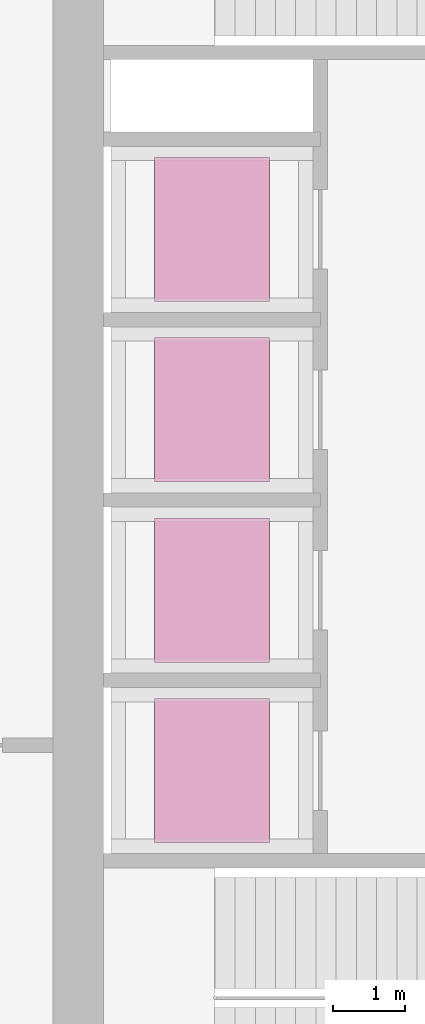
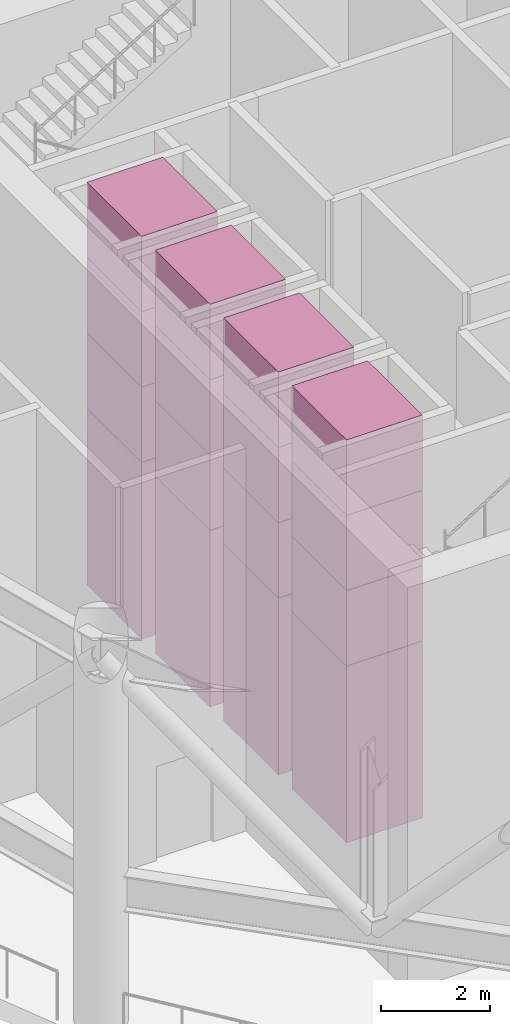
# One storey, part 13 of 13: 16 transport elements.
"""IFC4 building model written with IfcOpenShell, lengths in metres."""

from ifc_helpers import new_model, si_unit, direction, frame, origin, origin_2d, place, context, subcontext, project, spatial, rectangle, extrude, material, type_object, element, save


model = new_model("IFC4")

# Units and contexts
model_context = context("Model", 3, precision=1e-05, world=origin(), true_north=direction((0.0, 1.0)))
body_context = subcontext(model_context, "Body", "Model", "MODEL_VIEW")
ifc_project = project(units=[si_unit("LENGTHUNIT", "METRE"), si_unit("AREAUNIT", "SQUARE_METRE"), si_unit("VOLUMEUNIT", "CUBIC_METRE"), si_unit("PLANEANGLEUNIT", "RADIAN"), si_unit("MASSUNIT", "GRAM", prefix="KILO")], contexts=[model_context])

# Site, building, storey
site_placement = place(None, origin())
site = spatial("IfcSite", under=ifc_project, at=site_placement, CompositionType="ELEMENT")
building_placement = place(site_placement, origin())
building = spatial("IfcBuilding", under=site, at=building_placement, Name="Qaws Garden Tower", CompositionType="ELEMENT")
storey_placement = place(building_placement, frame((0.0, 0.0, 237.0)))
storey = spatial("IfcBuildingStorey", under=building, at=storey_placement, Name="L58", CompositionType="ELEMENT", Elevation=237.0)

# Transport elements
ifc_material = material(Name="Stainless steel 316", Category="steel")
transport_element_type = type_object("IfcTransportElementType", Name="Passenger lift car 2000x1600 1800 kg", PredefinedType="ELEVATOR", material=ifc_material)
transport_element_1_placement = place(storey_placement, frame((10.199951171875, 13.64990234375, 0.0), z_axis=(0.0, 0.0, 1.0), x_axis=(1.0, 0.0, 0.0)))
element("IfcTransportElement", 1, at=transport_element_1_placement, inside=storey, type_object=transport_element_type, Name="MR1", PredefinedType="ELEVATOR", context=body_context, shape_type="SweptSolid", body=[
    extrude(rectangle(XDim=1.60009765625, YDim=2.0, at=origin_2d()), origin(), (0.0, 0.0, 1.0), 3.949951171875),
])
for number, where, z_axis, x_axis, name in (
    (2, (10.199951171875, 13.64990234375, 3.9501953125), (0.0, 0.0, 1.0), (1.0, 0.0, 0.0), "MR1"),
    (3, (10.199951171875, 13.64990234375, 5.63330078125), (0.0, 0.0, 1.0), (1.0, 0.0, 0.0), "MR1"),
    (4, (10.199951171875, 13.64990234375, 7.31689453125), (0.0, 0.0, 1.0), (1.0, 0.0, 0.0), "MR1"),
):
    element("IfcTransportElement", number, at=place(storey_placement, frame(where, z_axis=z_axis, x_axis=x_axis)), inside=storey, type_object=transport_element_type, Name=name, PredefinedType="ELEVATOR", context=body_context, shape_type="SweptSolid", body=[
        extrude(rectangle(XDim=1.60009765625, YDim=2.0, at=origin_2d()), origin(), (0.0, 0.0, 1.0), 1.683349609375),
    ])
transport_element_2_placement = place(storey_placement, frame((10.199951171875, 16.14990234375, 0.0), z_axis=(0.0, 0.0, 1.0), x_axis=(1.0, 0.0, 0.0)))
element("IfcTransportElement", 5, at=transport_element_2_placement, inside=storey, type_object=transport_element_type, Name="MR2", PredefinedType="ELEVATOR", context=body_context, shape_type="SweptSolid", body=[
    extrude(rectangle(XDim=1.60009765625, YDim=2.0, at=origin_2d()), origin(), (0.0, 0.0, 1.0), 3.949951171875),
])
for number, where, z_axis, x_axis, name in (
    (6, (10.199951171875, 16.14990234375, 3.9501953125), (0.0, 0.0, 1.0), (1.0, 0.0, 0.0), "MR2"),
    (7, (10.199951171875, 16.14990234375, 5.63330078125), (0.0, 0.0, 1.0), (1.0, 0.0, 0.0), "MR2"),
    (8, (10.199951171875, 16.14990234375, 7.31689453125), (0.0, 0.0, 1.0), (1.0, 0.0, 0.0), "MR2"),
):
    element("IfcTransportElement", number, at=place(storey_placement, frame(where, z_axis=z_axis, x_axis=x_axis)), inside=storey, type_object=transport_element_type, Name=name, PredefinedType="ELEVATOR", context=body_context, shape_type="SweptSolid", body=[
        extrude(rectangle(XDim=1.60009765625, YDim=2.0, at=origin_2d()), origin(), (0.0, 0.0, 1.0), 1.683349609375),
    ])
transport_element_3_placement = place(storey_placement, frame((10.199951171875, 18.64990234375, 0.0), z_axis=(0.0, 0.0, 1.0), x_axis=(1.0, 0.0, 0.0)))
element("IfcTransportElement", 9, at=transport_element_3_placement, inside=storey, type_object=transport_element_type, Name="MR3", PredefinedType="ELEVATOR", context=body_context, shape_type="SweptSolid", body=[
    extrude(rectangle(XDim=1.60009765625, YDim=2.0, at=origin_2d()), origin(), (0.0, 0.0, 1.0), 3.949951171875),
])
for number, where, z_axis, x_axis, name in (
    (10, (10.199951171875, 18.64990234375, 3.9501953125), (0.0, 0.0, 1.0), (1.0, 0.0, 0.0), "MR3"),
    (11, (10.199951171875, 18.64990234375, 5.63330078125), (0.0, 0.0, 1.0), (1.0, 0.0, 0.0), "MR3"),
    (12, (10.199951171875, 18.64990234375, 7.31689453125), (0.0, 0.0, 1.0), (1.0, 0.0, 0.0), "MR3"),
):
    element("IfcTransportElement", number, at=place(storey_placement, frame(where, z_axis=z_axis, x_axis=x_axis)), inside=storey, type_object=transport_element_type, Name=name, PredefinedType="ELEVATOR", context=body_context, shape_type="SweptSolid", body=[
        extrude(rectangle(XDim=1.60009765625, YDim=2.0, at=origin_2d()), origin(), (0.0, 0.0, 1.0), 1.683349609375),
    ])
transport_element_4_placement = place(storey_placement, frame((10.199951171875, 21.14990234375, 0.0), z_axis=(0.0, 0.0, 1.0), x_axis=(1.0, 0.0, 0.0)))
element("IfcTransportElement", 13, at=transport_element_4_placement, inside=storey, type_object=transport_element_type, Name="MR4", PredefinedType="ELEVATOR", context=body_context, shape_type="SweptSolid", body=[
    extrude(rectangle(XDim=1.60009765625, YDim=2.0, at=origin_2d()), origin(), (0.0, 0.0, 1.0), 3.949951171875),
])
for number, where, z_axis, x_axis, name in (
    (14, (10.199951171875, 21.14990234375, 3.9501953125), (0.0, 0.0, 1.0), (1.0, 0.0, 0.0), "MR4"),
    (15, (10.199951171875, 21.14990234375, 5.63330078125), (0.0, 0.0, 1.0), (1.0, 0.0, 0.0), "MR4"),
    (16, (10.199951171875, 21.14990234375, 7.31689453125), (0.0, 0.0, 1.0), (1.0, 0.0, 0.0), "MR4"),
):
    element("IfcTransportElement", number, at=place(storey_placement, frame(where, z_axis=z_axis, x_axis=x_axis)), inside=storey, type_object=transport_element_type, Name=name, PredefinedType="ELEVATOR", context=body_context, shape_type="SweptSolid", body=[
        extrude(rectangle(XDim=1.60009765625, YDim=2.0, at=origin_2d()), origin(), (0.0, 0.0, 1.0), 1.683349609375),
    ])

save(model, "model.ifc")
